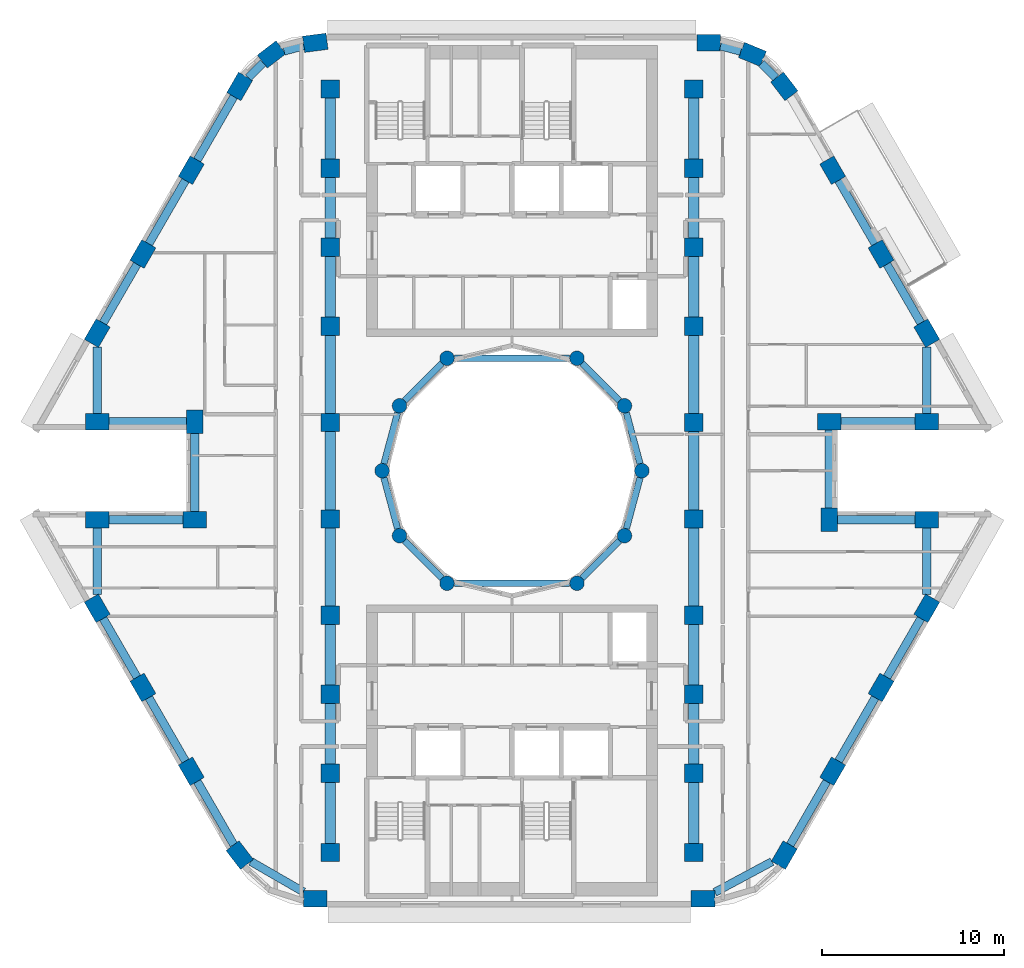
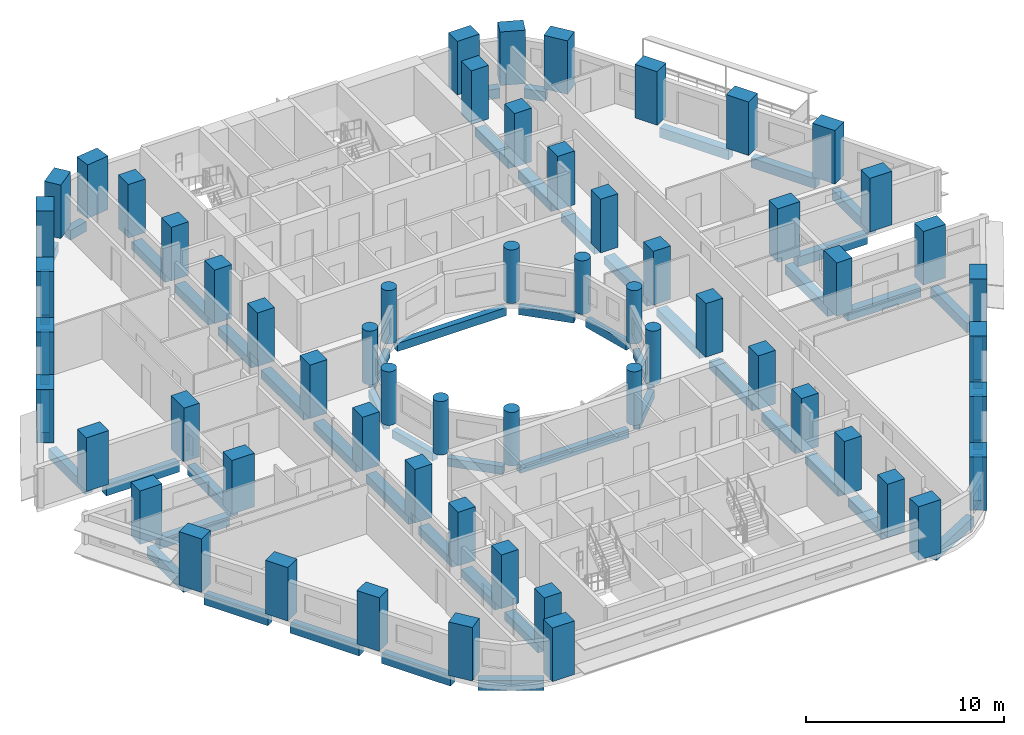
# One storey, part 1 of 14: 60 columns, 55 beams.
"""IFC4 building model written with IfcOpenShell, lengths in metres."""

from ifc_helpers import new_model, si_unit, direction, frame, origin, origin_2d, place, context, subcontext, project, spatial, rectangle, circle, extrude, material, material_profile, profile_set, type_object, element, save


model = new_model("IFC4")

# Units and contexts
model_context = context("Model", 3, precision=1e-05, world=origin(), true_north=direction((0.0, 1.0)))
body_context = subcontext(model_context, "Body", "Model", "MODEL_VIEW")
ifc_project = project(units=[si_unit("LENGTHUNIT", "METRE"), si_unit("AREAUNIT", "SQUARE_METRE"), si_unit("VOLUMEUNIT", "CUBIC_METRE"), si_unit("PLANEANGLEUNIT", "RADIAN"), si_unit("MASSUNIT", "GRAM", prefix="KILO")], contexts=[model_context])

# Site, building, storey
site_placement = place(None, origin())
site = spatial("IfcSite", under=ifc_project, at=site_placement, CompositionType="ELEMENT")
building_placement = place(site_placement, origin())
building = spatial("IfcBuilding", under=site, at=building_placement, Name="Nakaniwa Court", CompositionType="ELEMENT")
storey_placement = place(building_placement, frame((0.0, 0.0, 160.199951171875)))
storey = spatial("IfcBuildingStorey", under=building, at=storey_placement, Name="L42", CompositionType="ELEMENT", Elevation=160.199951171875)

# Columns
ifc_material = material(Name="Concrete C80/100", Category="concrete")
ifc_material_profile_1 = material_profile(ifc_material, rectangle(XDim=1.0, YDim=1.0, at=origin_2d()), Name="Concrete C80/100 RC 1000x1000 spine column")
ifc_profile_set_1 = profile_set([ifc_material_profile_1], Name="Concrete C80/100")
column_type_1 = type_object("IfcColumnType", Name="Concrete C80/100 RC 1000x1000 spine column", PredefinedType="COLUMN", material=ifc_profile_set_1)
for number, where, z_axis, x_axis, name in (
    (1, (90.0, 59.0, 0.0), (0.0, 0.0, 1.0), (0.0, 1.0, 0.0), "COLUMN CS-01"),
    (2, (90.0, 63.35009765625, 0.0), (0.0, 0.0, 1.0), (0.0, 1.0, 0.0), "COLUMN CS-02"),
    (3, (90.0, 67.699951171875, 0.0), (0.0, 0.0, 1.0), (0.0, 1.0, 0.0), "COLUMN CS-03"),
    (4, (90.0, 72.050048828125, 0.0), (0.0, 0.0, 1.0), (0.0, 1.0, 0.0), "COLUMN CS-04"),
    (5, (90.0, 77.35009765625, 0.0), (0.0, 0.0, 1.0), (0.0, 1.0, 0.0), "COLUMN CS-05"),
    (6, (90.0, 82.64990234375, 0.0), (0.0, 0.0, 1.0), (0.0, 1.0, 0.0), "COLUMN CS-06"),
    (7, (90.0, 87.949951171875, 0.0), (0.0, 0.0, 1.0), (0.0, 1.0, 0.0), "COLUMN CS-07"),
    (8, (90.0, 92.300048828125, 0.0), (0.0, 0.0, 1.0), (0.0, 1.0, 0.0), "COLUMN CS-08"),
    (9, (90.0, 96.64990234375, 0.0), (0.0, 0.0, 1.0), (0.0, 1.0, 0.0), "COLUMN CS-09"),
    (10, (90.0, 101.0, 0.0), (0.0, 0.0, 1.0), (0.0, 1.0, 0.0), "COLUMN CS-10"),
    (11, (70.0, 101.0, 0.0), (0.0, 0.0, 1.0), (0.0, -1.0, 0.0), "COLUMN CS-11"),
    (12, (70.0, 96.64990234375, 0.0), (0.0, 0.0, 1.0), (0.0, -1.0, 0.0), "COLUMN CS-12"),
    (13, (70.0, 92.300048828125, 0.0), (0.0, 0.0, 1.0), (0.0, -1.0, 0.0), "COLUMN CS-13"),
    (14, (70.0, 87.949951171875, 0.0), (0.0, 0.0, 1.0), (0.0, -1.0, 0.0), "COLUMN CS-14"),
    (15, (70.0, 82.64990234375, 0.0), (0.0, 0.0, 1.0), (0.0, -1.0, 0.0), "COLUMN CS-15"),
    (16, (70.0, 77.35009765625, 0.0), (0.0, 0.0, 1.0), (0.0, -1.0, 0.0), "COLUMN CS-16"),
    (17, (70.0, 72.050048828125, 0.0), (0.0, 0.0, 1.0), (0.0, -1.0, 0.0), "COLUMN CS-17"),
    (18, (70.0, 67.699951171875, 0.0), (0.0, 0.0, 1.0), (0.0, -1.0, 0.0), "COLUMN CS-18"),
    (19, (70.0, 63.35009765625, 0.0), (0.0, 0.0, 1.0), (0.0, -1.0, 0.0), "COLUMN CS-19"),
    (20, (70.0, 59.0, 0.0), (0.0, 0.0, 1.0), (0.0, -1.0, 0.0), "COLUMN CS-20"),
):
    element("IfcColumn", number, at=place(storey_placement, frame(where, z_axis=z_axis, x_axis=x_axis)), inside=storey, type_object=column_type_1, Name=name, PredefinedType="COLUMN", context=body_context, shape_type="SweptSolid", body=[
        extrude(rectangle(XDim=1.0, YDim=1.0, at=origin_2d()), origin(), (0.0, 0.0, 1.0), 3.300048828125),
    ])
ifc_material_profile_2 = material_profile(ifc_material, rectangle(XDim=1.300048828125, YDim=0.89990234375, at=origin_2d()), Name="Concrete C80/100 RC 1300x900 perimeter column")
ifc_profile_set_2 = profile_set([ifc_material_profile_2], Name="Concrete C80/100")
column_type_2 = type_object("IfcColumnType", Name="Concrete C80/100 RC 1300x900 perimeter column", PredefinedType="COLUMN", material=ifc_profile_set_2)
for number, where, z_axis, x_axis, name in (
    (21, (69.17529296875, 103.550048828125, 0.0), (0.0, 0.0, 1.0), (-0.991442583111, -0.130543496177, 0.0), "COLUMN CO-01"),
    (22, (66.772705078125, 102.91015625, 0.0), (0.0, 0.0, 1.0), (-0.793363965062, -0.608747582288, 0.0), "COLUMN CO-02"),
    (23, (65.017578125, 101.1494140625, 0.0), (0.0, 0.0, 1.0), (-0.5, -0.866025403784, 0.0), "COLUMN CO-03"),
    (24, (62.3544921875, 96.537109375, 0.0), (0.0, 0.0, 1.0), (-0.5, -0.866025403784, 0.0), "COLUMN CO-04"),
    (25, (59.691650390625, 91.9248046875, 0.0), (0.0, 0.0, 1.0), (-0.5, -0.866025403784, 0.0), "COLUMN CO-05"),
    (26, (57.177001953125, 87.569580078125, 0.0), (0.0, 0.0, 1.0), (-0.5, -0.866025403784, 0.0), "COLUMN CO-06"),
    (27, (57.177001953125, 82.699951171875, 0.0), (0.0, 0.0, 1.0), (1.0, 0.0, 0.0), "COLUMN CO-08"),
    (28, (62.54150390625, 82.699951171875, 0.0), (0.0, 0.0, 1.0), (0.0, -1.0, 0.0), "COLUMN CO-09"),
    (29, (62.54150390625, 77.300048828125, 0.0), (0.0, 0.0, 1.0), (-1.0, 0.0, 0.0), "COLUMN CO-10"),
    (30, (57.177001953125, 77.300048828125, 0.0), (0.0, 0.0, 1.0), (-1.0, 0.0, 0.0), "COLUMN CO-11"),
    (31, (57.177001953125, 72.430419921875, 0.0), (0.0, 0.0, 1.0), (0.5, -0.866025403784, 0.0), "COLUMN CO-13"),
    (32, (59.691650390625, 68.0751953125, 0.0), (0.0, 0.0, 1.0), (0.5, -0.866025403784, 0.0), "COLUMN CO-14"),
    (33, (62.3544921875, 63.462890625, 0.0), (0.0, 0.0, 1.0), (0.5, -0.866025403784, 0.0), "COLUMN CO-15"),
    (34, (65.017578125, 58.8505859375, 0.0), (0.0, 0.0, 1.0), (0.608761429009, -0.793353340291, 0.0), "COLUMN CO-16"),
    (35, (69.17529296875, 56.449951171875, 0.0), (0.0, 0.0, 1.0), (1.0, 0.0, 0.0), "COLUMN CO-17"),
    (36, (90.507080078125, 56.449951171875, 0.0), (0.0, 0.0, 1.0), (1.0, 0.0, 0.0), "COLUMN CO-21"),
    (37, (94.982421875, 58.8505859375, 0.0), (0.0, 0.0, 1.0), (0.5, 0.866025403784, 0.0), "COLUMN CO-22"),
    (38, (97.6455078125, 63.462890625, 0.0), (0.0, 0.0, 1.0), (0.5, 0.866025403784, 0.0), "COLUMN CO-23"),
    (39, (100.308349609375, 68.0751953125, 0.0), (0.0, 0.0, 1.0), (0.5, 0.866025403784, 0.0), "COLUMN CO-24"),
    (40, (102.822998046875, 72.430419921875, 0.0), (0.0, 0.0, 1.0), (0.5, 0.866025403784, 0.0), "COLUMN CO-25"),
    (41, (102.822998046875, 77.300048828125, 0.0), (0.0, 0.0, 1.0), (-1.0, 0.0, 0.0), "COLUMN CO-27"),
    (42, (97.45849609375, 77.300048828125, 0.0), (0.0, 0.0, 1.0), (0.0, 1.0, 0.0), "COLUMN CO-28"),
    (43, (97.45849609375, 82.699951171875, 0.0), (0.0, 0.0, 1.0), (1.0, 0.0, 0.0), "COLUMN CO-29"),
    (44, (102.822998046875, 82.699951171875, 0.0), (0.0, 0.0, 1.0), (1.0, 0.0, 0.0), "COLUMN CO-30"),
    (45, (102.822998046875, 87.569580078125, 0.0), (0.0, 0.0, 1.0), (-0.5, 0.866025403784, 0.0), "COLUMN CO-32"),
    (46, (100.308349609375, 91.9248046875, 0.0), (0.0, 0.0, 1.0), (-0.5, 0.866025403784, 0.0), "COLUMN CO-33"),
    (47, (97.6455078125, 96.537109375, 0.0), (0.0, 0.0, 1.0), (-0.5, 0.866025403784, 0.0), "COLUMN CO-34"),
    (48, (94.982421875, 101.1494140625, 0.0), (0.0, 0.0, 1.0), (-0.608761429009, 0.793353340291, 0.0), "COLUMN CO-35"),
    (49, (93.227294921875, 102.91015625, 0.0), (0.0, 0.0, 1.0), (-0.923879532511, 0.382683432365, 0.0), "COLUMN CO-36"),
    (50, (90.82470703125, 103.550048828125, 0.0), (0.0, 0.0, 1.0), (-1.0, 0.0, 0.0), "COLUMN CO-37"),
):
    element("IfcColumn", number, at=place(storey_placement, frame(where, z_axis=z_axis, x_axis=x_axis)), inside=storey, type_object=column_type_2, Name=name, PredefinedType="COLUMN", context=body_context, shape_type="SweptSolid", body=[
        extrude(rectangle(XDim=1.300048828125, YDim=0.89990234375, at=origin_2d()), origin(), (0.0, 0.0, 1.0), 3.300048828125),
    ])
ifc_material_profile_3 = material_profile(ifc_material, circle(Radius=0.39990234375, at=origin_2d()), Name="Concrete C80/100 RC D800 inner ring column")
ifc_profile_set_3 = profile_set([ifc_material_profile_3], Name="Concrete C80/100")
column_type_3 = type_object("IfcColumnType", Name="Concrete C80/100 RC D800 inner ring column", PredefinedType="COLUMN", material=ifc_profile_set_3)
for number, where, z_axis, x_axis, name in (
    (51, (87.14990234375, 80.0, 0.0), (0.0, 0.0, 1.0), (0.0, 1.0, 0.0), "COLUMN CI-01"),
    (52, (86.192138671875, 83.574951171875, 0.0), (0.0, 0.0, 1.0), (-0.5, 0.866025403784, 0.0), "COLUMN CI-02"),
    (53, (83.574951171875, 86.192138671875, 0.0), (0.0, 0.0, 1.0), (-0.866025403784, 0.5, 0.0), "COLUMN CI-03"),
    (54, (76.425048828125, 86.192138671875, 0.0), (0.0, 0.0, 1.0), (-0.866025403784, -0.5, 0.0), "COLUMN CI-05"),
    (55, (73.807861328125, 83.574951171875, 0.0), (0.0, 0.0, 1.0), (-0.5, -0.866025403784, 0.0), "COLUMN CI-06"),
    (56, (72.85009765625, 80.0, 0.0), (0.0, 0.0, 1.0), (0.0, -1.0, 0.0), "COLUMN CI-07"),
    (57, (73.807861328125, 76.425048828125, 0.0), (0.0, 0.0, 1.0), (0.5, -0.866025403784, 0.0), "COLUMN CI-08"),
    (58, (76.425048828125, 73.807861328125, 0.0), (0.0, 0.0, 1.0), (0.866025403784, -0.5, 0.0), "COLUMN CI-09"),
    (59, (83.574951171875, 73.807861328125, 0.0), (0.0, 0.0, 1.0), (0.866025403784, 0.5, 0.0), "COLUMN CI-11"),
    (60, (86.192138671875, 76.425048828125, 0.0), (0.0, 0.0, 1.0), (0.5, 0.866025403784, 0.0), "COLUMN CI-12"),
):
    element("IfcColumn", number, at=place(storey_placement, frame(where, z_axis=z_axis, x_axis=x_axis)), inside=storey, type_object=column_type_3, Name=name, PredefinedType="COLUMN", context=body_context, shape_type="SweptSolid", body=[
        extrude(circle(Radius=0.39990234375, at=origin_2d()), origin(), (0.0, 0.0, 1.0), 3.300048828125),
    ])

# Beams
ifc_material_profile_4 = material_profile(ifc_material, rectangle(XDim=0.35009765625, YDim=0.5, at=origin_2d()), Name="Concrete C80/100 RC 350x500 ring beam")
ifc_profile_set_4 = profile_set([ifc_material_profile_4], Name="Concrete C80/100")
beam_type_1 = type_object("IfcBeamType", Name="Concrete C80/100 RC 350x500 ring beam", PredefinedType="BEAM", material=ifc_profile_set_4)
beam_1_placement = place(storey_placement, frame((87.04638671875, 80.386474609375, -0.52490234375), z_axis=(-0.258778150207, 0.965936783115, 0.0), x_axis=(-0.965936783115, -0.258778150207, 0.0)))
element("IfcBeam", 61, at=beam_1_placement, inside=storey, type_object=beam_type_1, Name="RING BEAM", PredefinedType="BEAM", context=body_context, shape_type="SweptSolid", body=[
    extrude(rectangle(XDim=0.35009765625, YDim=0.5, at=origin_2d()), origin(), (0.0, 0.0, 1.0), 2.901123046875),
])
beam_2_placement = place(storey_placement, frame((85.9091796875, 83.85791015625, -0.52490234375), z_axis=(-0.707106781187, 0.707106781187, 0.0), x_axis=(-0.707106781187, -0.707106781187, 0.0)))
element("IfcBeam", 62, at=beam_2_placement, inside=storey, type_object=beam_type_1, Name="RING BEAM", PredefinedType="BEAM", context=body_context, shape_type="SweptSolid", body=[
    extrude(rectangle(XDim=0.35009765625, YDim=0.5, at=origin_2d()), origin(), (0.0, 0.0, 1.0), 2.90087890625),
])
beam_3_placement = place(storey_placement, frame((83.175048828125, 86.192138671875, -0.52490234375), z_axis=(-1.0, 0.0, 0.0), x_axis=(0.0, -1.0, 0.0)))
element("IfcBeam", 63, at=beam_3_placement, inside=storey, type_object=beam_type_1, Name="RING BEAM", PredefinedType="BEAM", context=body_context, shape_type="SweptSolid", body=[
    extrude(rectangle(XDim=0.35009765625, YDim=0.5, at=origin_2d()), origin(), (0.0, 0.0, 1.0), 6.35009765625),
])
beam_4_placement = place(storey_placement, frame((76.14208984375, 85.9091796875, -0.52490234375), z_axis=(-0.707106781187, -0.707106781187, 0.0), x_axis=(0.707106781187, -0.707106781187, 0.0)))
element("IfcBeam", 64, at=beam_4_placement, inside=storey, type_object=beam_type_1, Name="RING BEAM", PredefinedType="BEAM", context=body_context, shape_type="SweptSolid", body=[
    extrude(rectangle(XDim=0.35009765625, YDim=0.5, at=origin_2d()), origin(), (0.0, 0.0, 1.0), 2.90087890625),
])
for number, where, z_axis, x_axis, name in (
    (65, (73.704345703125, 83.188720703125, -0.52490234375), (-0.258778150207, -0.965936783115, 0.0), (0.965936783115, -0.258778150207, 0.0), "RING BEAM"),
    (66, (72.95361328125, 79.613525390625, -0.52490234375), (0.258778150207, -0.965936783115, 0.0), (0.965936783115, 0.258778150207, 0.0), "RING BEAM"),
):
    element("IfcBeam", number, at=place(storey_placement, frame(where, z_axis=z_axis, x_axis=x_axis)), inside=storey, type_object=beam_type_1, Name=name, PredefinedType="BEAM", context=body_context, shape_type="SweptSolid", body=[
        extrude(rectangle(XDim=0.35009765625, YDim=0.5, at=origin_2d()), origin(), (0.0, 0.0, 1.0), 2.901123046875),
    ])
beam_5_placement = place(storey_placement, frame((74.0908203125, 76.14208984375, -0.52490234375), z_axis=(0.707106781187, -0.707106781187, 0.0), x_axis=(0.707106781187, 0.707106781187, 0.0)))
element("IfcBeam", 67, at=beam_5_placement, inside=storey, type_object=beam_type_1, Name="RING BEAM", PredefinedType="BEAM", context=body_context, shape_type="SweptSolid", body=[
    extrude(rectangle(XDim=0.35009765625, YDim=0.5, at=origin_2d()), origin(), (0.0, 0.0, 1.0), 2.90087890625),
])
beam_6_placement = place(storey_placement, frame((76.824951171875, 73.807861328125, -0.52490234375), z_axis=(1.0, 0.0, 0.0), x_axis=(0.0, 1.0, 0.0)))
element("IfcBeam", 68, at=beam_6_placement, inside=storey, type_object=beam_type_1, Name="RING BEAM", PredefinedType="BEAM", context=body_context, shape_type="SweptSolid", body=[
    extrude(rectangle(XDim=0.35009765625, YDim=0.5, at=origin_2d()), origin(), (0.0, 0.0, 1.0), 6.35009765625),
])
beam_7_placement = place(storey_placement, frame((83.85791015625, 74.0908203125, -0.52490234375), z_axis=(0.707106781187, 0.707106781187, 0.0), x_axis=(-0.707106781187, 0.707106781187, 0.0)))
element("IfcBeam", 69, at=beam_7_placement, inside=storey, type_object=beam_type_1, Name="RING BEAM", PredefinedType="BEAM", context=body_context, shape_type="SweptSolid", body=[
    extrude(rectangle(XDim=0.35009765625, YDim=0.5, at=origin_2d()), origin(), (0.0, 0.0, 1.0), 2.90087890625),
])
beam_8_placement = place(storey_placement, frame((86.295654296875, 76.811279296875, -0.52490234375), z_axis=(0.258778150207, 0.965936783115, 0.0), x_axis=(-0.965936783115, 0.258778150207, 0.0)))
element("IfcBeam", 70, at=beam_8_placement, inside=storey, type_object=beam_type_1, Name="RING BEAM", PredefinedType="BEAM", context=body_context, shape_type="SweptSolid", body=[
    extrude(rectangle(XDim=0.35009765625, YDim=0.5, at=origin_2d()), origin(), (0.0, 0.0, 1.0), 2.901123046875),
])
ifc_material_profile_5 = material_profile(ifc_material, rectangle(XDim=0.449951171875, YDim=0.60009765625, at=origin_2d()), Name="Concrete C80/100 RC 450x600 spandrel beam")
ifc_profile_set_5 = profile_set([ifc_material_profile_5], Name="Concrete C80/100")
beam_type_2 = type_object("IfcBeamType", Name="Concrete C80/100 RC 450x600 spandrel beam", PredefinedType="BEAM", material=ifc_profile_set_5)
beam_9_placement = place(storey_placement, frame((68.5419921875, 103.38134765625, -0.574951171875), z_axis=(-0.966321172043, -0.257339061284, 0.0), x_axis=(0.257339061284, -0.966321172043, 0.0)))
element("IfcBeam", 71, at=beam_9_placement, inside=storey, type_object=beam_type_2, Name="SPANDREL BEAM", PredefinedType="BEAM", context=body_context, shape_type="SweptSolid", body=[
    extrude(rectangle(XDim=0.449951171875, YDim=0.60009765625, at=origin_2d()), origin(), (0.0, 0.0, 1.0), 1.126953125),
])
beam_10_placement = place(storey_placement, frame((66.309814453125, 102.44580078125, -0.574951171875), z_axis=(-0.706051557188, -0.708160432807, 0.0), x_axis=(0.708160432807, -0.706051557188, 0.0)))
element("IfcBeam", 72, at=beam_10_placement, inside=storey, type_object=beam_type_2, Name="SPANDREL BEAM", PredefinedType="BEAM", context=body_context, shape_type="SweptSolid", body=[
    extrude(rectangle(XDim=0.449951171875, YDim=0.60009765625, at=origin_2d()), origin(), (0.0, 0.0, 1.0), 1.15771484375),
])
for number, where, z_axis, x_axis, name in (
    (73, (64.6923828125, 100.586669921875, -0.574951171875), (-0.499993669216, -0.866029058833, 0.0), (0.866029058833, -0.499993669216, 0.0), "SPANDREL BEAM"),
    (74, (62.029541015625, 95.97412109375, -0.574951171875), (-0.499993669216, -0.866029058833, 0.0), (0.866029058833, -0.499993669216, 0.0), "SPANDREL BEAM"),
):
    element("IfcBeam", number, at=place(storey_placement, frame(where, z_axis=z_axis, x_axis=x_axis)), inside=storey, type_object=beam_type_2, Name=name, PredefinedType="BEAM", context=body_context, shape_type="SweptSolid", body=[
        extrude(rectangle(XDim=0.449951171875, YDim=0.60009765625, at=origin_2d()), origin(), (0.0, 0.0, 1.0), 4.02587890625),
    ])
beam_11_placement = place(storey_placement, frame((59.36669921875, 91.36181640625, -0.574951171875), z_axis=(-0.50001905207, -0.866014403787, 0.0), x_axis=(0.866014403787, -0.50001905207, 0.0)))
element("IfcBeam", 75, at=beam_11_placement, inside=storey, type_object=beam_type_2, Name="SPANDREL BEAM", PredefinedType="BEAM", context=body_context, shape_type="SweptSolid", body=[
    extrude(rectangle(XDim=0.449951171875, YDim=0.60009765625, at=origin_2d()), origin(), (0.0, 0.0, 1.0), 3.728759765625),
])
beam_12_placement = place(storey_placement, frame((57.177001953125, 86.819091796875, -0.574951171875), z_axis=(0.0, -1.0, 0.0), x_axis=(1.0, 0.0, 0.0)))
element("IfcBeam", 76, at=beam_12_placement, inside=storey, type_object=beam_type_2, Name="SPANDREL BEAM", PredefinedType="BEAM", context=body_context, shape_type="SweptSolid", body=[
    extrude(rectangle(XDim=0.449951171875, YDim=0.60009765625, at=origin_2d()), origin(), (0.0, 0.0, 1.0), 3.669189453125),
])
beam_13_placement = place(storey_placement, frame((57.8271484375, 82.699951171875, -0.574951171875), z_axis=(1.0, 0.0, 0.0), x_axis=(0.0, 1.0, 0.0)))
element("IfcBeam", 77, at=beam_13_placement, inside=storey, type_object=beam_type_2, Name="SPANDREL BEAM", PredefinedType="BEAM", context=body_context, shape_type="SweptSolid", body=[
    extrude(rectangle(XDim=0.449951171875, YDim=0.60009765625, at=origin_2d()), origin(), (0.0, 0.0, 1.0), 4.264404296875),
])
beam_14_placement = place(storey_placement, frame((62.54150390625, 82.050048828125, -0.574951171875), z_axis=(0.0, -1.0, 0.0), x_axis=(1.0, 0.0, 0.0)))
element("IfcBeam", 78, at=beam_14_placement, inside=storey, type_object=beam_type_2, Name="SPANDREL BEAM", PredefinedType="BEAM", context=body_context, shape_type="SweptSolid", body=[
    extrude(rectangle(XDim=0.449951171875, YDim=0.60009765625, at=origin_2d()), origin(), (0.0, 0.0, 1.0), 4.300048828125),
])
beam_15_placement = place(storey_placement, frame((61.8916015625, 77.300048828125, -0.574951171875), z_axis=(-1.0, 0.0, 0.0), x_axis=(0.0, -1.0, 0.0)))
element("IfcBeam", 79, at=beam_15_placement, inside=storey, type_object=beam_type_2, Name="SPANDREL BEAM", PredefinedType="BEAM", context=body_context, shape_type="SweptSolid", body=[
    extrude(rectangle(XDim=0.449951171875, YDim=0.60009765625, at=origin_2d()), origin(), (0.0, 0.0, 1.0), 4.064453125),
])
beam_16_placement = place(storey_placement, frame((57.177001953125, 76.85009765625, -0.574951171875), z_axis=(0.0, -1.0, 0.0), x_axis=(1.0, 0.0, 0.0)))
element("IfcBeam", 80, at=beam_16_placement, inside=storey, type_object=beam_type_2, Name="SPANDREL BEAM", PredefinedType="BEAM", context=body_context, shape_type="SweptSolid", body=[
    extrude(rectangle(XDim=0.449951171875, YDim=0.60009765625, at=origin_2d()), origin(), (0.0, 0.0, 1.0), 3.669189453125),
])
beam_17_placement = place(storey_placement, frame((57.502197265625, 71.867431640625, -0.574951171875), z_axis=(0.50001905207, -0.866014403787, 0.0), x_axis=(0.866014403787, 0.50001905207, 0.0)))
element("IfcBeam", 81, at=beam_17_placement, inside=storey, type_object=beam_type_2, Name="SPANDREL BEAM", PredefinedType="BEAM", context=body_context, shape_type="SweptSolid", body=[
    extrude(rectangle(XDim=0.449951171875, YDim=0.60009765625, at=origin_2d()), origin(), (0.0, 0.0, 1.0), 3.728759765625),
])
beam_18_placement = place(storey_placement, frame((60.0166015625, 67.512451171875, -0.574951171875), z_axis=(0.499993669216, -0.866029058833, 0.0), x_axis=(0.866029058833, 0.499993669216, 0.0)))
element("IfcBeam", 82, at=beam_18_placement, inside=storey, type_object=beam_type_2, Name="SPANDREL BEAM", PredefinedType="BEAM", context=body_context, shape_type="SweptSolid", body=[
    extrude(rectangle(XDim=0.449951171875, YDim=0.60009765625, at=origin_2d()), origin(), (0.0, 0.0, 1.0), 4.02587890625),
])
beam_19_placement = place(storey_placement, frame((62.679443359375, 62.89990234375, -0.574951171875), z_axis=(0.500018573463, -0.866014680125, 0.0), x_axis=(0.866014680125, 0.500018573463, 0.0)))
element("IfcBeam", 83, at=beam_19_placement, inside=storey, type_object=beam_type_2, Name="SPANDREL BEAM", PredefinedType="BEAM", context=body_context, shape_type="SweptSolid", body=[
    extrude(rectangle(XDim=0.449951171875, YDim=0.60009765625, at=origin_2d()), origin(), (0.0, 0.0, 1.0), 4.020263671875),
])
beam_20_placement = place(storey_placement, frame((65.626708984375, 58.498779296875, -0.574951171875), z_axis=(0.866021605644, -0.500006578514, 0.0), x_axis=(0.500006578514, 0.866021605644, 0.0)))
element("IfcBeam", 84, at=beam_20_placement, inside=storey, type_object=beam_type_2, Name="SPANDREL BEAM", PredefinedType="BEAM", context=body_context, shape_type="SweptSolid", body=[
    extrude(rectangle(XDim=0.449951171875, YDim=0.60009765625, at=origin_2d()), origin(), (0.0, 0.0, 1.0), 3.34716796875),
])
beam_21_placement = place(storey_placement, frame((91.156982421875, 56.798583984375, -0.574951171875), z_axis=(0.881239336512, 0.472670320397, 0.0), x_axis=(-0.472670320397, 0.881239336512, 0.0)))
element("IfcBeam", 85, at=beam_21_placement, inside=storey, type_object=beam_type_2, Name="SPANDREL BEAM", PredefinedType="BEAM", context=body_context, shape_type="SweptSolid", body=[
    extrude(rectangle(XDim=0.449951171875, YDim=0.60009765625, at=origin_2d()), origin(), (0.0, 0.0, 1.0), 3.576416015625),
])
for number, where, z_axis, x_axis, name in (
    (86, (95.3076171875, 59.413330078125, -0.574951171875), (0.499993669216, 0.866029058833, 0.0), (-0.866029058833, 0.499993669216, 0.0), "SPANDREL BEAM"),
    (87, (97.970458984375, 64.02587890625, -0.574951171875), (0.499993669216, 0.866029058833, 0.0), (-0.866029058833, 0.499993669216, 0.0), "SPANDREL BEAM"),
):
    element("IfcBeam", number, at=place(storey_placement, frame(where, z_axis=z_axis, x_axis=x_axis)), inside=storey, type_object=beam_type_2, Name=name, PredefinedType="BEAM", context=body_context, shape_type="SweptSolid", body=[
        extrude(rectangle(XDim=0.449951171875, YDim=0.60009765625, at=origin_2d()), origin(), (0.0, 0.0, 1.0), 4.02587890625),
    ])
beam_22_placement = place(storey_placement, frame((100.63330078125, 68.63818359375, -0.574951171875), z_axis=(0.50001905207, 0.866014403787, 0.0), x_axis=(-0.866014403787, 0.50001905207, 0.0)))
element("IfcBeam", 88, at=beam_22_placement, inside=storey, type_object=beam_type_2, Name="SPANDREL BEAM", PredefinedType="BEAM", context=body_context, shape_type="SweptSolid", body=[
    extrude(rectangle(XDim=0.449951171875, YDim=0.60009765625, at=origin_2d()), origin(), (0.0, 0.0, 1.0), 3.728759765625),
])
beam_23_placement = place(storey_placement, frame((102.822998046875, 73.180908203125, -0.574951171875), z_axis=(0.0, 1.0, 0.0), x_axis=(-1.0, 0.0, 0.0)))
element("IfcBeam", 89, at=beam_23_placement, inside=storey, type_object=beam_type_2, Name="SPANDREL BEAM", PredefinedType="BEAM", context=body_context, shape_type="SweptSolid", body=[
    extrude(rectangle(XDim=0.449951171875, YDim=0.60009765625, at=origin_2d()), origin(), (0.0, 0.0, 1.0), 3.669189453125),
])
beam_24_placement = place(storey_placement, frame((102.1728515625, 77.300048828125, -0.574951171875), z_axis=(-1.0, 0.0, 0.0), x_axis=(0.0, -1.0, 0.0)))
element("IfcBeam", 90, at=beam_24_placement, inside=storey, type_object=beam_type_2, Name="SPANDREL BEAM", PredefinedType="BEAM", context=body_context, shape_type="SweptSolid", body=[
    extrude(rectangle(XDim=0.449951171875, YDim=0.60009765625, at=origin_2d()), origin(), (0.0, 0.0, 1.0), 4.264404296875),
])
beam_25_placement = place(storey_placement, frame((97.45849609375, 77.949951171875, -0.574951171875), z_axis=(0.0, 1.0, 0.0), x_axis=(-1.0, 0.0, 0.0)))
element("IfcBeam", 91, at=beam_25_placement, inside=storey, type_object=beam_type_2, Name="SPANDREL BEAM", PredefinedType="BEAM", context=body_context, shape_type="SweptSolid", body=[
    extrude(rectangle(XDim=0.449951171875, YDim=0.60009765625, at=origin_2d()), origin(), (0.0, 0.0, 1.0), 4.300048828125),
])
beam_26_placement = place(storey_placement, frame((98.1083984375, 82.699951171875, -0.574951171875), z_axis=(1.0, 0.0, 0.0), x_axis=(0.0, 1.0, 0.0)))
element("IfcBeam", 92, at=beam_26_placement, inside=storey, type_object=beam_type_2, Name="SPANDREL BEAM", PredefinedType="BEAM", context=body_context, shape_type="SweptSolid", body=[
    extrude(rectangle(XDim=0.449951171875, YDim=0.60009765625, at=origin_2d()), origin(), (0.0, 0.0, 1.0), 4.064453125),
])
beam_27_placement = place(storey_placement, frame((102.822998046875, 83.14990234375, -0.574951171875), z_axis=(0.0, 1.0, 0.0), x_axis=(-1.0, 0.0, 0.0)))
element("IfcBeam", 93, at=beam_27_placement, inside=storey, type_object=beam_type_2, Name="SPANDREL BEAM", PredefinedType="BEAM", context=body_context, shape_type="SweptSolid", body=[
    extrude(rectangle(XDim=0.449951171875, YDim=0.60009765625, at=origin_2d()), origin(), (0.0, 0.0, 1.0), 3.669189453125),
])
beam_28_placement = place(storey_placement, frame((102.497802734375, 88.132568359375, -0.574951171875), z_axis=(-0.50001905207, 0.866014403787, 0.0), x_axis=(-0.866014403787, -0.50001905207, 0.0)))
element("IfcBeam", 94, at=beam_28_placement, inside=storey, type_object=beam_type_2, Name="SPANDREL BEAM", PredefinedType="BEAM", context=body_context, shape_type="SweptSolid", body=[
    extrude(rectangle(XDim=0.449951171875, YDim=0.60009765625, at=origin_2d()), origin(), (0.0, 0.0, 1.0), 3.728759765625),
])
beam_29_placement = place(storey_placement, frame((99.9833984375, 92.487548828125, -0.574951171875), z_axis=(-0.499993669216, 0.866029058833, 0.0), x_axis=(-0.866029058833, -0.499993669216, 0.0)))
element("IfcBeam", 95, at=beam_29_placement, inside=storey, type_object=beam_type_2, Name="SPANDREL BEAM", PredefinedType="BEAM", context=body_context, shape_type="SweptSolid", body=[
    extrude(rectangle(XDim=0.449951171875, YDim=0.60009765625, at=origin_2d()), origin(), (0.0, 0.0, 1.0), 4.02587890625),
])
beam_30_placement = place(storey_placement, frame((94.519775390625, 101.61376953125, -0.574951171875), z_axis=(-0.706022429805, 0.708189472254, 0.0), x_axis=(-0.708189472254, -0.706022429805, 0.0)))
element("IfcBeam", 96, at=beam_30_placement, inside=storey, type_object=beam_type_2, Name="SPANDREL BEAM", PredefinedType="BEAM", context=body_context, shape_type="SweptSolid", body=[
    extrude(rectangle(XDim=0.449951171875, YDim=0.60009765625, at=origin_2d()), origin(), (0.0, 0.0, 1.0), 1.126708984375),
])
beam_31_placement = place(storey_placement, frame((92.593505859375, 103.078857421875, -0.574951171875), z_axis=(-0.966294404875, 0.257439552335, 0.0), x_axis=(-0.257439552335, -0.966294404875, 0.0)))
element("IfcBeam", 97, at=beam_31_placement, inside=storey, type_object=beam_type_2, Name="SPANDREL BEAM", PredefinedType="BEAM", context=body_context, shape_type="SweptSolid", body=[
    extrude(rectangle(XDim=0.449951171875, YDim=0.60009765625, at=origin_2d()), origin(), (0.0, 0.0, 1.0), 1.157958984375),
])
ifc_material_profile_6 = material_profile(ifc_material, rectangle(XDim=0.60009765625, YDim=0.5, at=origin_2d()), Name="Concrete C80/100 RC 600x500 ring beam")
ifc_profile_set_6 = profile_set([ifc_material_profile_6], Name="Concrete C80/100")
beam_type_3 = type_object("IfcBeamType", Name="Concrete C80/100 RC 600x500 ring beam", PredefinedType="BEAM", material=ifc_profile_set_6)
beam_32_placement = place(storey_placement, frame((90.0, 59.5, -0.52490234375), z_axis=(0.0, 1.0, 0.0), x_axis=(-1.0, 0.0, 0.0)))
element("IfcBeam", 98, at=beam_32_placement, inside=storey, type_object=beam_type_3, Name="RING BEAM", PredefinedType="BEAM", context=body_context, shape_type="SweptSolid", body=[
    extrude(rectangle(XDim=0.60009765625, YDim=0.5, at=origin_2d()), origin(), (0.0, 0.0, 1.0), 3.35009765625),
])
beam_33_placement = place(storey_placement, frame((90.0, 63.85009765625, -0.52490234375), z_axis=(0.0, 1.0, 0.0), x_axis=(-1.0, 0.0, 0.0)))
element("IfcBeam", 99, at=beam_33_placement, inside=storey, type_object=beam_type_3, Name="RING BEAM", PredefinedType="BEAM", context=body_context, shape_type="SweptSolid", body=[
    extrude(rectangle(XDim=0.60009765625, YDim=0.5, at=origin_2d()), origin(), (0.0, 0.0, 1.0), 3.349853515625),
])
beam_34_placement = place(storey_placement, frame((90.0, 68.199951171875, -0.52490234375), z_axis=(0.0, 1.0, 0.0), x_axis=(-1.0, 0.0, 0.0)))
element("IfcBeam", 100, at=beam_34_placement, inside=storey, type_object=beam_type_3, Name="RING BEAM", PredefinedType="BEAM", context=body_context, shape_type="SweptSolid", body=[
    extrude(rectangle(XDim=0.60009765625, YDim=0.5, at=origin_2d()), origin(), (0.0, 0.0, 1.0), 3.35009765625),
])
beam_35_placement = place(storey_placement, frame((90.0, 72.550048828125, -0.52490234375), z_axis=(0.0, 1.0, 0.0), x_axis=(-1.0, 0.0, 0.0)))
element("IfcBeam", 101, at=beam_35_placement, inside=storey, type_object=beam_type_3, Name="RING BEAM", PredefinedType="BEAM", context=body_context, shape_type="SweptSolid", body=[
    extrude(rectangle(XDim=0.60009765625, YDim=0.5, at=origin_2d()), origin(), (0.0, 0.0, 1.0), 4.300048828125),
])
beam_36_placement = place(storey_placement, frame((90.0, 77.85009765625, -0.52490234375), z_axis=(0.0, 1.0, 0.0), x_axis=(-1.0, 0.0, 0.0)))
element("IfcBeam", 102, at=beam_36_placement, inside=storey, type_object=beam_type_3, Name="RING BEAM", PredefinedType="BEAM", context=body_context, shape_type="SweptSolid", body=[
    extrude(rectangle(XDim=0.60009765625, YDim=0.5, at=origin_2d()), origin(), (0.0, 0.0, 1.0), 4.2998046875),
])
beam_37_placement = place(storey_placement, frame((90.0, 83.14990234375, -0.52490234375), z_axis=(0.0, 1.0, 0.0), x_axis=(-1.0, 0.0, 0.0)))
element("IfcBeam", 103, at=beam_37_placement, inside=storey, type_object=beam_type_3, Name="RING BEAM", PredefinedType="BEAM", context=body_context, shape_type="SweptSolid", body=[
    extrude(rectangle(XDim=0.60009765625, YDim=0.5, at=origin_2d()), origin(), (0.0, 0.0, 1.0), 4.300048828125),
])
beam_38_placement = place(storey_placement, frame((90.0, 88.449951171875, -0.52490234375), z_axis=(0.0, 1.0, 0.0), x_axis=(-1.0, 0.0, 0.0)))
element("IfcBeam", 104, at=beam_38_placement, inside=storey, type_object=beam_type_3, Name="RING BEAM", PredefinedType="BEAM", context=body_context, shape_type="SweptSolid", body=[
    extrude(rectangle(XDim=0.60009765625, YDim=0.5, at=origin_2d()), origin(), (0.0, 0.0, 1.0), 3.35009765625),
])
beam_39_placement = place(storey_placement, frame((90.0, 92.800048828125, -0.52490234375), z_axis=(0.0, 1.0, 0.0), x_axis=(-1.0, 0.0, 0.0)))
element("IfcBeam", 105, at=beam_39_placement, inside=storey, type_object=beam_type_3, Name="RING BEAM", PredefinedType="BEAM", context=body_context, shape_type="SweptSolid", body=[
    extrude(rectangle(XDim=0.60009765625, YDim=0.5, at=origin_2d()), origin(), (0.0, 0.0, 1.0), 3.349853515625),
])
for number, where, z_axis, x_axis, name in (
    (106, (90.0, 97.14990234375, -0.52490234375), (0.0, 1.0, 0.0), (-1.0, 0.0, 0.0), "RING BEAM"),
    (107, (70.0, 100.5, -0.52490234375), (0.0, -1.0, 0.0), (1.0, 0.0, 0.0), "RING BEAM"),
):
    element("IfcBeam", number, at=place(storey_placement, frame(where, z_axis=z_axis, x_axis=x_axis)), inside=storey, type_object=beam_type_3, Name=name, PredefinedType="BEAM", context=body_context, shape_type="SweptSolid", body=[
        extrude(rectangle(XDim=0.60009765625, YDim=0.5, at=origin_2d()), origin(), (0.0, 0.0, 1.0), 3.35009765625),
    ])
beam_40_placement = place(storey_placement, frame((70.0, 96.14990234375, -0.52490234375), z_axis=(0.0, -1.0, 0.0), x_axis=(1.0, 0.0, 0.0)))
element("IfcBeam", 108, at=beam_40_placement, inside=storey, type_object=beam_type_3, Name="RING BEAM", PredefinedType="BEAM", context=body_context, shape_type="SweptSolid", body=[
    extrude(rectangle(XDim=0.60009765625, YDim=0.5, at=origin_2d()), origin(), (0.0, 0.0, 1.0), 3.349853515625),
])
beam_41_placement = place(storey_placement, frame((70.0, 91.800048828125, -0.52490234375), z_axis=(0.0, -1.0, 0.0), x_axis=(1.0, 0.0, 0.0)))
element("IfcBeam", 109, at=beam_41_placement, inside=storey, type_object=beam_type_3, Name="RING BEAM", PredefinedType="BEAM", context=body_context, shape_type="SweptSolid", body=[
    extrude(rectangle(XDim=0.60009765625, YDim=0.5, at=origin_2d()), origin(), (0.0, 0.0, 1.0), 3.35009765625),
])
beam_42_placement = place(storey_placement, frame((70.0, 87.449951171875, -0.52490234375), z_axis=(0.0, -1.0, 0.0), x_axis=(1.0, 0.0, 0.0)))
element("IfcBeam", 110, at=beam_42_placement, inside=storey, type_object=beam_type_3, Name="RING BEAM", PredefinedType="BEAM", context=body_context, shape_type="SweptSolid", body=[
    extrude(rectangle(XDim=0.60009765625, YDim=0.5, at=origin_2d()), origin(), (0.0, 0.0, 1.0), 4.300048828125),
])
beam_43_placement = place(storey_placement, frame((70.0, 82.14990234375, -0.52490234375), z_axis=(0.0, -1.0, 0.0), x_axis=(1.0, 0.0, 0.0)))
element("IfcBeam", 111, at=beam_43_placement, inside=storey, type_object=beam_type_3, Name="RING BEAM", PredefinedType="BEAM", context=body_context, shape_type="SweptSolid", body=[
    extrude(rectangle(XDim=0.60009765625, YDim=0.5, at=origin_2d()), origin(), (0.0, 0.0, 1.0), 4.2998046875),
])
beam_44_placement = place(storey_placement, frame((70.0, 76.85009765625, -0.52490234375), z_axis=(0.0, -1.0, 0.0), x_axis=(1.0, 0.0, 0.0)))
element("IfcBeam", 112, at=beam_44_placement, inside=storey, type_object=beam_type_3, Name="RING BEAM", PredefinedType="BEAM", context=body_context, shape_type="SweptSolid", body=[
    extrude(rectangle(XDim=0.60009765625, YDim=0.5, at=origin_2d()), origin(), (0.0, 0.0, 1.0), 4.300048828125),
])
beam_45_placement = place(storey_placement, frame((70.0, 71.550048828125, -0.52490234375), z_axis=(0.0, -1.0, 0.0), x_axis=(1.0, 0.0, 0.0)))
element("IfcBeam", 113, at=beam_45_placement, inside=storey, type_object=beam_type_3, Name="RING BEAM", PredefinedType="BEAM", context=body_context, shape_type="SweptSolid", body=[
    extrude(rectangle(XDim=0.60009765625, YDim=0.5, at=origin_2d()), origin(), (0.0, 0.0, 1.0), 3.35009765625),
])
beam_46_placement = place(storey_placement, frame((70.0, 67.199951171875, -0.52490234375), z_axis=(0.0, -1.0, 0.0), x_axis=(1.0, 0.0, 0.0)))
element("IfcBeam", 114, at=beam_46_placement, inside=storey, type_object=beam_type_3, Name="RING BEAM", PredefinedType="BEAM", context=body_context, shape_type="SweptSolid", body=[
    extrude(rectangle(XDim=0.60009765625, YDim=0.5, at=origin_2d()), origin(), (0.0, 0.0, 1.0), 3.349853515625),
])
beam_47_placement = place(storey_placement, frame((70.0, 62.85009765625, -0.52490234375), z_axis=(0.0, -1.0, 0.0), x_axis=(1.0, 0.0, 0.0)))
element("IfcBeam", 115, at=beam_47_placement, inside=storey, type_object=beam_type_3, Name="RING BEAM", PredefinedType="BEAM", context=body_context, shape_type="SweptSolid", body=[
    extrude(rectangle(XDim=0.60009765625, YDim=0.5, at=origin_2d()), origin(), (0.0, 0.0, 1.0), 3.35009765625),
])

save(model, "model.ifc")
